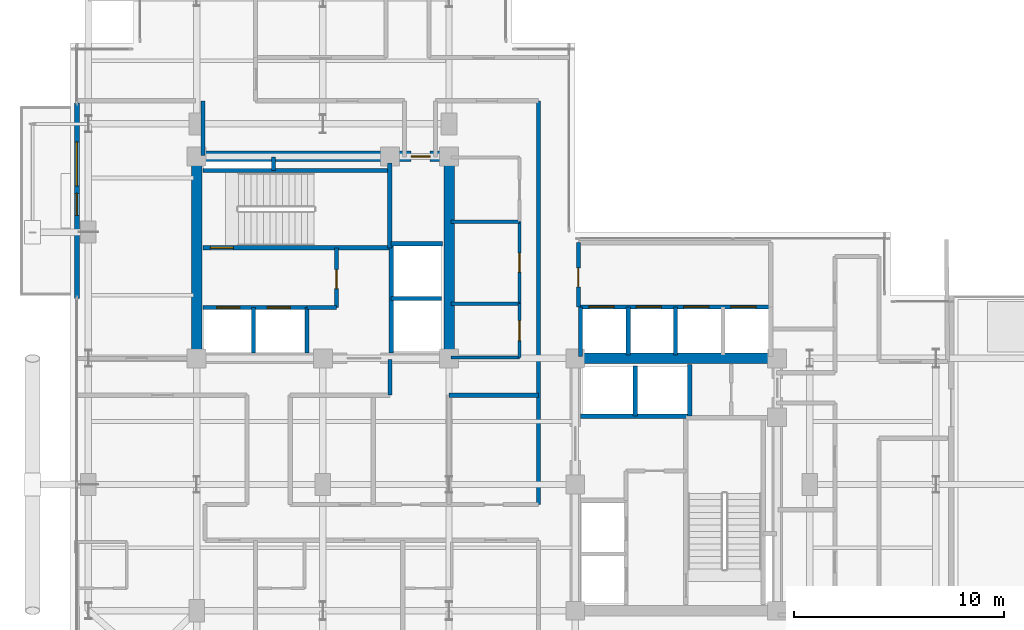
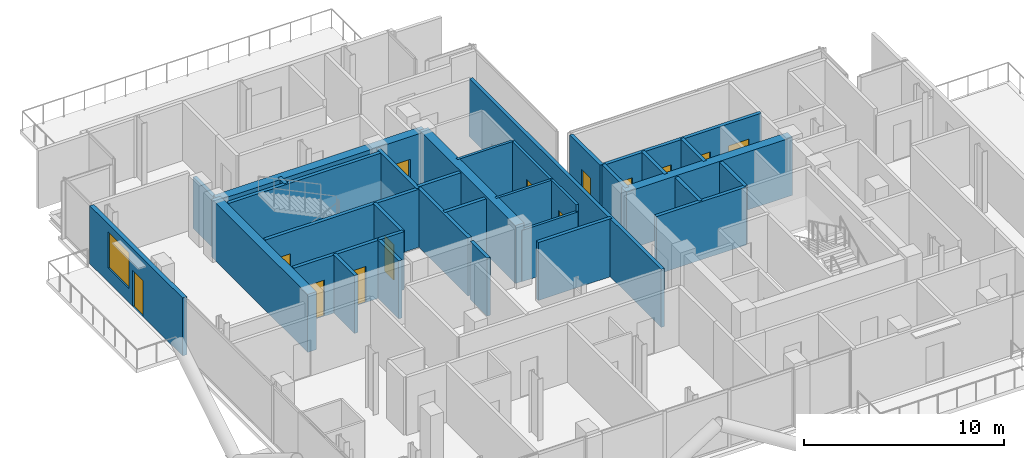
# One storey, part 22 of 28: 34 walls, 13 doors, 1 window, 14 openings.
"""IFC4 building model written with IfcOpenShell, lengths in metres."""

from ifc_helpers import new_model, si_unit, direction, frame, frame_2d, origin, place, context, subcontext, project, spatial, rectangle, extrude, material, layer, layer_set, type_object, element, fill, save


model = new_model("IFC4")

# Units and contexts
model_context = context("Model", 3, precision=1e-05, world=origin(), true_north=direction((0.0, 1.0)))
body_context = subcontext(model_context, "Body", "Model", "MODEL_VIEW")
ifc_project = project(units=[si_unit("LENGTHUNIT", "METRE"), si_unit("AREAUNIT", "SQUARE_METRE"), si_unit("VOLUMEUNIT", "CUBIC_METRE"), si_unit("PLANEANGLEUNIT", "RADIAN"), si_unit("MASSUNIT", "GRAM", prefix="KILO"), si_unit("THERMODYNAMICTEMPERATUREUNIT", "KELVIN"), si_unit("POWERUNIT", "WATT")], contexts=[model_context])

# Site, building, storey
site_placement = place(None, origin())
site = spatial("IfcSite", under=ifc_project, at=site_placement, CompositionType="ELEMENT")
building_placement = place(site_placement, origin())
building = spatial("IfcBuilding", under=site, at=building_placement, Name="Svarakhadi Broadcast Tower", CompositionType="ELEMENT")
storey_placement = place(building_placement, frame((0.0, 0.0, 169.199951171875)))
storey = spatial("IfcBuildingStorey", under=building, at=storey_placement, Name="L41", CompositionType="ELEMENT", Elevation=169.199951171875)

# Walls
ifc_material_1 = material(Name="Double-Stud Acoustic Studio Partition STC-62", Category="gypsum")
ifc_layer_1 = layer(ifc_material_1, 0.199951171875)
ifc_layer_set_1 = layer_set([ifc_layer_1], Name="Double-Stud Acoustic Studio Partition STC-62")
wall_type_1 = type_object("IfcWallType", Name="Wall_Acoust_200", PredefinedType="PARTITIONING", material=ifc_layer_set_1)
wall_1_placement = place(storey_placement, frame((15.199951171875, 17.949951171875, 0.0), z_axis=(0.0, 0.0, 1.0), x_axis=(0.0, -1.0, 0.0)))
element("IfcWall", 1, at=wall_1_placement, inside=storey, type_object=wall_type_1, Name="L41 Zone 2/3 Corridor Wall", PredefinedType="PARTITIONING", context=body_context, shape_type="SweptSolid", body=[
    extrude(rectangle(XDim=1.699951171875, YDim=0.199951171875, at=frame_2d((0.85009765625, 0.0))), origin(), (0.0, 0.0, 1.0), 3.5400390625),
])
wall_2_placement = place(storey_placement, frame((22.25, 11.050048828125, 0.0), z_axis=(0.0, 0.0, 1.0), x_axis=(0.0, 1.0, 0.0)))
element("IfcWall", 2, at=wall_2_placement, inside=storey, type_object=wall_type_1, Name="L41 Zone 2/3 Corridor Wall", PredefinedType="PARTITIONING", context=body_context, shape_type="SweptSolid", body=[
    extrude(rectangle(XDim=19.199951171875, YDim=0.199951171875, at=frame_2d((9.60009765625, 0.0))), origin(), (0.0, 0.0, 1.0), 3.5400390625),
])
wall_3_placement = place(storey_placement, frame((18.0, 16.25, 0.0), z_axis=(0.0, 0.0, 1.0), x_axis=(1.0, 0.0, 0.0)))
element("IfcWall", 3, at=wall_3_placement, inside=storey, type_object=wall_type_1, Name="L41 Accessible Floor Washroom WC Wall", PredefinedType="PARTITIONING", context=body_context, shape_type="SweptSolid", body=[
    extrude(rectangle(XDim=4.25, YDim=0.199951171875, at=frame_2d((2.125, 0.0))), origin(), (0.0, 0.0, 1.0), 3.5400390625),
])
wall_4_placement = place(storey_placement, frame((6.300048828125, 27.64990234375, 0.0), z_axis=(0.0, 0.0, 1.0), x_axis=(0.0, 1.0, 0.0)))
element("IfcWall", 4, at=wall_4_placement, inside=storey, type_object=wall_type_1, Name="L41 Guest Library Study Wall", PredefinedType="PARTITIONING", context=body_context, shape_type="SweptSolid", body=[
    extrude(rectangle(XDim=2.60009765625, YDim=0.199951171875, at=frame_2d((1.300048828125, 0.0))), origin(), (0.0, 0.0, 1.0), 3.132080078125),
])

# Wall, openings, door, window
ifc_material_2 = material(Name="Concrete C40/50 (IS 456 M50)", Category="concrete")
ifc_layer_2 = layer(ifc_material_2, 0.239990234375)
ifc_layer_set_2 = layer_set([ifc_layer_2], Name="Concrete C40/50 (IS 456 M50)")
wall_type_2 = type_object("IfcWallType", Name="Wall_Ext_240", PredefinedType="SOLIDWALL", material=ifc_layer_set_2)
wall_5_placement = place(storey_placement, frame((0.300048828125, 20.85498046875, 0.0), z_axis=(0.0, 0.0, 1.0), x_axis=(0.0, 1.0, 0.0)))
wall_5 = element("IfcWall", 5, at=wall_5_placement, inside=storey, type_object=wall_type_2, Name="L41 West Tree Balcony Spandrel Wall", PredefinedType="SOLIDWALL", context=body_context, shape_type="SweptSolid", body=[
    extrude(rectangle(XDim=9.2900390625, YDim=0.239990234375, at=frame_2d((4.64501953125, 0.0))), origin(), (0.0, 0.0, 1.0), 3.5400390625),
])
opening_1_placement = place(wall_5_placement, frame((3.945068359375, 0.0, 0.0)))
opening_1 = element("IfcOpeningElement", 6, at=opening_1_placement, cuts=wall_5, Name="Opening ED-06", PredefinedType="OPENING", context=body_context, shape_type="SweptSolid", body=[
    extrude(rectangle(XDim=1.050048828125, YDim=2.199951171875, at=frame_2d((0.52490234375, 1.10009765625))), frame((0.0, 0.1298828125, 0.0), z_axis=(0.0, -1.0, 0.0), x_axis=(1.0, 0.0, 0.0)), (0.0, 0.0, 1.0), 0.260009765625),
])
opening_2_placement = place(wall_5_placement, frame((5.344970703125, 0.0, 0.85009765625)))
opening_2 = element("IfcOpeningElement", 7, at=opening_2_placement, cuts=wall_5, Name="Opening WN-06", PredefinedType="OPENING", context=body_context, shape_type="SweptSolid", body=[
    extrude(rectangle(XDim=2.10009765625, YDim=2.199951171875, at=frame_2d((1.050048828125, 1.10009765625))), frame((0.0, 0.1298828125, 0.0), z_axis=(0.0, -1.0, 0.0), x_axis=(1.0, 0.0, 0.0)), (0.0, 0.0, 1.0), 0.260009765625),
])
ifc_material_3 = material(Name="Anodised Bronze Aluminium AA 6063-T6", Category="aluminium")
door_type_1 = type_object("IfcDoorType", Name="Door_Ext_ED06", OperationType="SINGLE_SWING_RIGHT", PredefinedType="DOOR", material=ifc_material_3)
door_1_placement = place(opening_1_placement, origin())
door_1 = element("IfcDoor", 8, at=door_1_placement, inside=storey, type_object=door_type_1, Name="L41 West Tree Balcony Door", OperationType="SINGLE_SWING_RIGHT", OverallHeight=2.199951171875, OverallWidth=1.050048828125, PredefinedType="DOOR", context=body_context, shape_type="SweptSolid", body=[
    extrude(rectangle(XDim=1.050048828125, YDim=2.199951171875, at=frame_2d((0.52490234375, 1.10009765625))), frame((0.0, 0.02490234375, 0.0), z_axis=(0.0, -1.0, 0.0), x_axis=(1.0, 0.0, 0.0)), (0.0, 0.0, 1.0), 0.050048828125),
])
fill(opening_1, door_1)
ifc_material_4 = material(Name="Double Low-E Laminated Acoustic Glass IGU 36 mm", Category="glass")
window_type = type_object("IfcWindowType", Name="Win_Hotel_WN06", PartitioningType="SINGLE_PANEL", PredefinedType="WINDOW", material=ifc_material_4)
window_placement = place(opening_2_placement, origin())
window = element("IfcWindow", 9, at=window_placement, inside=storey, type_object=window_type, Name="L41 West Tree Balcony Window", OverallHeight=2.199951171875, OverallWidth=2.10009765625, PartitioningType="SINGLE_PANEL", PredefinedType="WINDOW", context=body_context, shape_type="SweptSolid", body=[
    extrude(rectangle(XDim=2.10009765625, YDim=2.199951171875, at=frame_2d((1.050048828125, 1.10009765625))), frame((0.0, 0.030029296875, 0.0), z_axis=(0.0, -1.0, 0.0), x_axis=(1.0, 0.0, 0.0)), (0.0, 0.0, 1.0), 0.06005859375),
])
fill(opening_2, window)

# Walls
ifc_layer_3 = layer(ifc_material_2, 0.199951171875)
ifc_layer_set_3 = layer_set([ifc_layer_3], Name="Concrete C40/50 (IS 456 M50)")
wall_type_3 = type_object("IfcWallType", Name="Wall_Fire_200", PredefinedType="SOLIDWALL", material=ifc_layer_set_3)
wall_6_placement = place(storey_placement, frame((9.659912109375, 26.93994140625, 0.0), z_axis=(0.0, 0.0, 1.0), x_axis=(0.0, 1.0, 0.0)))
element("IfcWall", 10, at=wall_6_placement, inside=storey, type_object=wall_type_3, Name="L41 Wet Riser Shaft East Wall", PredefinedType="SOLIDWALL", context=body_context, shape_type="SweptSolid", body=[
    extrude(rectangle(XDim=0.64013671875, YDim=0.199951171875, at=frame_2d((0.320068359375, 0.0))), origin(), (0.0, 0.0, 1.0), 3.5400390625),
])
ifc_material_5 = material(Name="Autoclaved Aerated Concrete Blockwork 150 mm", Category="masonry")
ifc_layer_4 = layer(ifc_material_5, 0.14990234375)
ifc_layer_set_4 = layer_set([ifc_layer_4], Name="Autoclaved Aerated Concrete Blockwork 150 mm")
wall_type_4 = type_object("IfcWallType", Name="Wall_Part_150", PredefinedType="PARTITIONING", material=ifc_layer_set_4)
wall_7_placement = place(storey_placement, frame((18.10009765625, 18.050048828125, 0.0), z_axis=(0.0, 0.0, 1.0), x_axis=(1.0, 0.0, 0.0)))
element("IfcWall", 11, at=wall_7_placement, inside=storey, type_object=wall_type_4, Name="L41 Hotel Floor Butler Service Pantry Wall", PredefinedType="PARTITIONING", context=body_context, shape_type="SweptSolid", body=[
    extrude(rectangle(XDim=3.25, YDim=0.14990234375, at=frame_2d((1.625, 0.0))), origin(), (0.0, 0.0, 1.0), 3.132080078125),
])
wall_8_placement = place(storey_placement, frame((18.10009765625, 20.60009765625, 0.0), z_axis=(0.0, 0.0, 1.0), x_axis=(1.0, 0.0, 0.0)))
element("IfcWall", 12, at=wall_8_placement, inside=storey, type_object=wall_type_4, Name="L41 Hotel Floor Butler Service Pantry Wall", PredefinedType="PARTITIONING", context=body_context, shape_type="SweptSolid", body=[
    extrude(rectangle(XDim=3.25, YDim=0.14990234375, at=frame_2d((1.625, 0.0))), origin(), (0.0, 0.0, 1.0), 3.5400390625),
])

# Wall, opening, door
wall_9_placement = place(storey_placement, frame((21.35009765625, 18.050048828125, 0.0), z_axis=(0.0, 0.0, 1.0), x_axis=(0.0, 1.0, 0.0)))
wall_9 = element("IfcWall", 13, at=wall_9_placement, inside=storey, type_object=wall_type_4, Name="L41 Hotel Floor Butler Service Pantry Wall", PredefinedType="PARTITIONING", context=body_context, shape_type="SweptSolid", body=[
    extrude(rectangle(XDim=2.550048828125, YDim=0.14990234375, at=frame_2d((1.27490234375, 0.0))), origin(), (0.0, 0.0, 1.0), 3.5400390625),
])
opening_3_placement = place(wall_9_placement, frame((0.800048828125, 0.0, 0.0)))
opening_3 = element("IfcOpeningElement", 14, at=opening_3_placement, cuts=wall_9, Name="Opening D-07", PredefinedType="OPENING", context=body_context, shape_type="SweptSolid", body=[
    extrude(rectangle(XDim=0.949951171875, YDim=2.14990234375, at=frame_2d((0.47509765625, 1.074951171875))), frame((0.0, 0.0849609375, 0.0), z_axis=(0.0, -1.0, 0.0), x_axis=(1.0, 0.0, 0.0)), (0.0, 0.0, 1.0), 0.169921875),
])
ifc_material_6 = material(Name="Solid-Core Teak Veneer Acoustic Timber Leaf", Category="wood")
door_type_2 = type_object("IfcDoorType", Name="Door_Office_D07", OperationType="SINGLE_SWING_RIGHT", PredefinedType="DOOR", material=ifc_material_6)
door_2_placement = place(opening_3_placement, origin())
door_2 = element("IfcDoor", 15, at=door_2_placement, inside=storey, type_object=door_type_2, Name="L41 Hotel Floor Butler Service Pantry Door", OperationType="SINGLE_SWING_RIGHT", OverallHeight=2.14990234375, OverallWidth=0.949951171875, PredefinedType="DOOR", context=body_context, shape_type="SweptSolid", body=[
    extrude(rectangle(XDim=0.949951171875, YDim=2.14990234375, at=frame_2d((0.47509765625, 1.074951171875))), frame((0.0, 0.02490234375, 0.0), z_axis=(0.0, -1.0, 0.0), x_axis=(1.0, 0.0, 0.0)), (0.0, 0.0, 1.0), 0.050048828125),
])
fill(opening_3, door_2)

# Wall
wall_10_placement = place(storey_placement, frame((18.10009765625, 24.5, 0.0), z_axis=(0.0, 0.0, 1.0), x_axis=(1.0, 0.0, 0.0)))
element("IfcWall", 16, at=wall_10_placement, inside=storey, type_object=wall_type_4, Name="L41 Accessible Guest Washroom WC Wall", PredefinedType="PARTITIONING", context=body_context, shape_type="SweptSolid", body=[
    extrude(rectangle(XDim=3.25, YDim=0.14990234375, at=frame_2d((1.625, 0.0))), origin(), (0.0, 0.0, 1.0), 3.5400390625),
])

# Wall, opening, door
wall_11_placement = place(storey_placement, frame((21.35009765625, 20.60009765625, 0.0), z_axis=(0.0, 0.0, 1.0), x_axis=(0.0, 1.0, 0.0)))
wall_11 = element("IfcWall", 17, at=wall_11_placement, inside=storey, type_object=wall_type_4, Name="L41 Accessible Guest Washroom WC Wall", PredefinedType="PARTITIONING", context=body_context, shape_type="SweptSolid", body=[
    extrude(rectangle(XDim=3.89990234375, YDim=0.14990234375, at=frame_2d((1.949951171875, 0.0))), origin(), (0.0, 0.0, 1.0), 3.5400390625),
])
opening_4_placement = place(wall_11_placement, frame((1.5, 0.0, 0.0)))
opening_4 = element("IfcOpeningElement", 18, at=opening_4_placement, cuts=wall_11, Name="Opening D-12", PredefinedType="OPENING", context=body_context, shape_type="SweptSolid", body=[
    extrude(rectangle(XDim=0.89990234375, YDim=2.10009765625, at=frame_2d((0.449951171875, 1.050048828125))), frame((0.0, 0.0849609375, 0.0), z_axis=(0.0, -1.0, 0.0), x_axis=(1.0, 0.0, 0.0)), (0.0, 0.0, 1.0), 0.169921875),
])
door_type_3 = type_object("IfcDoorType", Name="Door_WC_D01", OperationType="SINGLE_SWING_LEFT", PredefinedType="DOOR", material=ifc_material_6)
door_3_placement = place(opening_4_placement, origin())
door_3 = element("IfcDoor", 19, at=door_3_placement, inside=storey, type_object=door_type_3, Name="L41 Accessible Guest Washroom WC Door", OperationType="SINGLE_SWING_LEFT", OverallHeight=2.10009765625, OverallWidth=0.89990234375, PredefinedType="DOOR", context=body_context, shape_type="SweptSolid", body=[
    extrude(rectangle(XDim=0.89990234375, YDim=2.10009765625, at=frame_2d((0.449951171875, 1.050048828125))), frame((0.0, 0.02490234375, 0.0), z_axis=(0.0, -1.0, 0.0), x_axis=(1.0, 0.0, 0.0)), (0.0, 0.0, 1.0), 0.050048828125),
])
fill(opening_4, door_3)

ifc_material_7 = material(Name="Concrete C50/60 (IS 456 M60)", Category="concrete")
ifc_layer_5 = layer(ifc_material_7, 0.199951171875)
ifc_layer_set_5 = layer_set([ifc_layer_5], Name="Concrete C50/60 (IS 456 M60)")
wall_type_5 = type_object("IfcWallType", Name="Wall_Shear_200", PredefinedType="SHEAR", material=ifc_layer_set_5)
wall_12_placement = place(storey_placement, frame((6.300048828125, 23.260009765625, 0.0), z_axis=(0.0, 0.0, 1.0), x_axis=(1.0, 0.0, 0.0)))
wall_12 = element("IfcWall", 20, at=wall_12_placement, inside=storey, type_object=wall_type_5, Name="L41 Stair ST-01 South RC Shaft Wall", PredefinedType="SHEAR", context=body_context, shape_type="SweptSolid", body=[
    extrude(rectangle(XDim=8.8798828125, YDim=0.199951171875, at=frame_2d((4.43994140625, 0.0))), origin(), (0.0, 0.0, 1.0), 3.5400390625),
])
opening_5_placement = place(wall_12_placement, frame((0.35009765625, 0.0, 0.0)))
opening_5 = element("IfcOpeningElement", 21, at=opening_5_placement, cuts=wall_12, Name="Opening D-01", PredefinedType="OPENING", context=body_context, shape_type="SweptSolid", body=[
    extrude(rectangle(XDim=1.10009765625, YDim=2.199951171875, at=frame_2d((0.550048828125, 1.10009765625))), frame((0.0, 0.10986328125, 0.0), z_axis=(0.0, -1.0, 0.0), x_axis=(1.0, 0.0, 0.0)), (0.0, 0.0, 1.0), 0.219970703125),
])
ifc_material_8 = material(Name="Galvanised Powder-Coated Fire-Rated Steel Leaf", Category="steel")
door_type_4 = type_object("IfcDoorType", Name="Door_Stair_D01", OperationType="SINGLE_SWING_LEFT", PredefinedType="DOOR", material=ifc_material_8)
door_4_placement = place(opening_5_placement, origin())
door_4 = element("IfcDoor", 22, at=door_4_placement, inside=storey, type_object=door_type_4, Name="L41 Protected Exit Stair ST-01 Fire Door", OperationType="SINGLE_SWING_LEFT", OverallHeight=2.199951171875, OverallWidth=1.10009765625, PredefinedType="DOOR", context=body_context, shape_type="SweptSolid", body=[
    extrude(rectangle(XDim=1.10009765625, YDim=2.199951171875, at=frame_2d((0.550048828125, 1.10009765625))), frame((0.0, 0.02490234375, 0.0), z_axis=(0.0, -1.0, 0.0), x_axis=(1.0, 0.0, 0.0)), (0.0, 0.0, 1.0), 0.050048828125),
])
fill(opening_5, door_4)

# Walls
wall_13_placement = place(storey_placement, frame((6.300048828125, 26.93994140625, 0.0), z_axis=(0.0, 0.0, 1.0), x_axis=(1.0, 0.0, 0.0)))
element("IfcWall", 23, at=wall_13_placement, inside=storey, type_object=wall_type_5, Name="L41 Stair ST-01 North RC Shaft Wall", PredefinedType="SHEAR", context=body_context, shape_type="SweptSolid", body=[
    extrude(rectangle(XDim=8.8798828125, YDim=0.199951171875, at=frame_2d((4.43994140625, 0.0))), origin(), (0.0, 0.0, 1.0), 3.5400390625),
])
wall_14_placement = place(storey_placement, frame((15.179931640625, 23.260009765625, 0.0), z_axis=(0.0, 0.0, 1.0), x_axis=(0.0, 1.0, 0.0)))
element("IfcWall", 24, at=wall_14_placement, inside=storey, type_object=wall_type_5, Name="L41 Stair ST-01 East RC Shaft Wall", PredefinedType="SHEAR", context=body_context, shape_type="SweptSolid", body=[
    extrude(rectangle(XDim=4.0400390625, YDim=0.199951171875, at=frame_2d((2.02001953125, 0.0))), origin(), (0.0, 0.0, 1.0), 3.5400390625),
])

# Wall, openings, doors
wall_15_placement = place(storey_placement, frame((6.300048828125, 20.419921875, 0.0), z_axis=(0.0, 0.0, 1.0), x_axis=(1.0, 0.0, 0.0)))
wall_15 = element("IfcWall", 25, at=wall_15_placement, inside=storey, type_object=wall_type_5, Name="L41 Firefighting Lift LF-01/02 Shaft Wall", PredefinedType="SHEAR", context=body_context, shape_type="SweptSolid", body=[
    extrude(rectangle(XDim=4.949951171875, YDim=0.199951171875, at=frame_2d((2.47509765625, 0.0))), origin(), (0.0, 0.0, 1.0), 3.5400390625),
])
opening_6_placement = place(wall_15_placement, frame((0.64990234375, 0.0, 0.0)))
opening_6 = element("IfcOpeningElement", 26, at=opening_6_placement, cuts=wall_15, Name="Opening LD-01", PredefinedType="OPENING", context=body_context, shape_type="SweptSolid", body=[
    extrude(rectangle(XDim=1.10009765625, YDim=2.199951171875, at=frame_2d((0.550048828125, 1.10009765625))), frame((0.0, 0.10986328125, 0.0), z_axis=(0.0, -1.0, 0.0), x_axis=(1.0, 0.0, 0.0)), (0.0, 0.0, 1.0), 0.219970703125),
])
opening_7_placement = place(wall_15_placement, frame((3.050048828125, 0.0, 0.0)))
opening_7 = element("IfcOpeningElement", 27, at=opening_7_placement, cuts=wall_15, Name="Opening LD-01", PredefinedType="OPENING", context=body_context, shape_type="SweptSolid", body=[
    extrude(rectangle(XDim=1.10009765625, YDim=2.199951171875, at=frame_2d((0.550048828125, 1.10009765625))), frame((0.0, 0.10986328125, 0.0), z_axis=(0.0, -1.0, 0.0), x_axis=(1.0, 0.0, 0.0)), (0.0, 0.0, 1.0), 0.219970703125),
])
door_type_5 = type_object("IfcDoorType", Name="Door_Lift_LD01", OperationType="SLIDING_TO_LEFT", PredefinedType="DOOR", material=ifc_material_8)
door_5_placement = place(opening_6_placement, origin())
door_5 = element("IfcDoor", 28, at=door_5_placement, inside=storey, type_object=door_type_5, Name="L41 Firefighting Lift LF-01 Landing Door", OperationType="SLIDING_TO_LEFT", OverallHeight=2.199951171875, OverallWidth=1.10009765625, PredefinedType="DOOR", context=body_context, shape_type="SweptSolid", body=[
    extrude(rectangle(XDim=1.10009765625, YDim=2.199951171875, at=frame_2d((0.550048828125, 1.10009765625))), frame((0.0, 0.02490234375, 0.0), z_axis=(0.0, -1.0, 0.0), x_axis=(1.0, 0.0, 0.0)), (0.0, 0.0, 1.0), 0.050048828125),
])
fill(opening_6, door_5)
door_6_placement = place(opening_7_placement, origin())
door_6 = element("IfcDoor", 29, at=door_6_placement, inside=storey, type_object=door_type_5, Name="L41 Firefighting Lift LF-02 Landing Door", OperationType="SLIDING_TO_LEFT", OverallHeight=2.199951171875, OverallWidth=1.10009765625, PredefinedType="DOOR", context=body_context, shape_type="SweptSolid", body=[
    extrude(rectangle(XDim=1.10009765625, YDim=2.199951171875, at=frame_2d((0.550048828125, 1.10009765625))), frame((0.0, 0.02490234375, 0.0), z_axis=(0.0, -1.0, 0.0), x_axis=(1.0, 0.0, 0.0)), (0.0, 0.0, 1.0), 0.050048828125),
])
fill(opening_7, door_6)

# Walls
for number, where, z_axis, x_axis, name in (
    (30, (8.699951171875, 18.25, 0.0), (0.0, 0.0, 1.0), (0.0, 1.0, 0.0), "L41 Firefighting Lift LF-01/02 Divider Wall"),
    (31, (11.25, 18.25, 0.0), (0.0, 0.0, 1.0), (0.0, 1.0, 0.0), "L41 Firefighting Lift LF-02 East Wall"),
):
    element("IfcWall", number, at=place(storey_placement, frame(where, z_axis=z_axis, x_axis=x_axis)), inside=storey, type_object=wall_type_5, Name=name, PredefinedType="SHEAR", context=body_context, shape_type="SweptSolid", body=[
        extrude(rectangle(XDim=2.169921875, YDim=0.199951171875, at=frame_2d((1.0849609375, 0.0))), origin(), (0.0, 0.0, 1.0), 3.5400390625),
    ])
wall_16_placement = place(storey_placement, frame((11.25, 20.419921875, 0.0), z_axis=(0.0, 0.0, 1.0), x_axis=(1.0, 0.0, 0.0)))
element("IfcWall", 32, at=wall_16_placement, inside=storey, type_object=wall_type_5, Name="L41 West Firefighting Lobby South Wall", PredefinedType="SHEAR", context=body_context, shape_type="SweptSolid", body=[
    extrude(rectangle(XDim=1.39990234375, YDim=0.199951171875, at=frame_2d((0.699951171875, 0.0))), origin(), (0.0, 0.0, 1.0), 3.5400390625),
])

# Wall, opening, door
wall_17_placement = place(storey_placement, frame((12.64990234375, 20.419921875, 0.0), z_axis=(0.0, 0.0, 1.0), x_axis=(0.0, 1.0, 0.0)))
wall_17 = element("IfcWall", 33, at=wall_17_placement, inside=storey, type_object=wall_type_5, Name="L41 West Firefighting Lobby East Wall", PredefinedType="SHEAR", context=body_context, shape_type="SweptSolid", body=[
    extrude(rectangle(XDim=2.840087890625, YDim=0.199951171875, at=frame_2d((1.419921875, 0.0))), origin(), (0.0, 0.0, 1.0), 3.5400390625),
])
opening_8_placement = place(wall_17_placement, frame((0.89990234375, 0.0, 0.0)))
opening_8 = element("IfcOpeningElement", 34, at=opening_8_placement, cuts=wall_17, Name="Opening D-03", PredefinedType="OPENING", context=body_context, shape_type="SweptSolid", body=[
    extrude(rectangle(XDim=0.89990234375, YDim=2.14990234375, at=frame_2d((0.449951171875, 1.074951171875))), frame((0.0, 0.10986328125, 0.0), z_axis=(0.0, -1.0, 0.0), x_axis=(1.0, 0.0, 0.0)), (0.0, 0.0, 1.0), 0.219970703125),
])
door_type_6 = type_object("IfcDoorType", Name="Door_Fire_D03", OperationType="SINGLE_SWING_LEFT", PredefinedType="DOOR", material=ifc_material_8)
door_7_placement = place(opening_8_placement, origin())
door_7 = element("IfcDoor", 35, at=door_7_placement, inside=storey, type_object=door_type_6, Name="L41 West Firefighting Lobby Fire Door", OperationType="SINGLE_SWING_LEFT", OverallHeight=2.14990234375, OverallWidth=0.89990234375, PredefinedType="DOOR", context=body_context, shape_type="SweptSolid", body=[
    extrude(rectangle(XDim=0.89990234375, YDim=2.14990234375, at=frame_2d((0.449951171875, 1.074951171875))), frame((0.0, 0.02490234375, 0.0), z_axis=(0.0, -1.0, 0.0), x_axis=(1.0, 0.0, 0.0)), (0.0, 0.0, 1.0), 0.050048828125),
])
fill(opening_8, door_7)

# Walls
wall_18_placement = place(storey_placement, frame((15.25, 18.25, 0.0), z_axis=(0.0, 0.0, 1.0), x_axis=(0.0, 1.0, 0.0)))
element("IfcWall", 36, at=wall_18_placement, inside=storey, type_object=wall_type_5, Name="L41 High-Rise Lift LF-13/14 West Shaft Wall", PredefinedType="SHEAR", context=body_context, shape_type="SweptSolid", body=[
    extrude(rectangle(XDim=5.199951171875, YDim=0.199951171875, at=frame_2d((2.60009765625, 0.0))), origin(), (0.0, 0.0, 1.0), 3.5400390625),
])
wall_19_placement = place(storey_placement, frame((15.25, 20.85009765625, 0.0), z_axis=(0.0, 0.0, 1.0), x_axis=(1.0, 0.0, 0.0)))
element("IfcWall", 37, at=wall_19_placement, inside=storey, type_object=wall_type_5, Name="L41 High-Rise Lift LF-13/14 Divider", PredefinedType="SHEAR", context=body_context, shape_type="SweptSolid", body=[
    extrude(rectangle(XDim=2.39990234375, YDim=0.199951171875, at=frame_2d((1.199951171875, 0.0))), origin(), (0.0, 0.0, 1.0), 3.5400390625),
])
wall_20_placement = place(storey_placement, frame((15.25, 23.449951171875, 0.0), z_axis=(0.0, 0.0, 1.0), x_axis=(1.0, 0.0, 0.0)))
element("IfcWall", 38, at=wall_20_placement, inside=storey, type_object=wall_type_5, Name="L41 High-Rise Lift LF-13/14 North Wall", PredefinedType="SHEAR", context=body_context, shape_type="SweptSolid", body=[
    extrude(rectangle(XDim=2.449951171875, YDim=0.199951171875, at=frame_2d((1.22509765625, 0.0))), origin(), (0.0, 0.0, 1.0), 3.5400390625),
])
wall_21_placement = place(storey_placement, frame((24.25, 15.25, 0.0), z_axis=(0.0, 0.0, 1.0), x_axis=(1.0, 0.0, 0.0)))
element("IfcWall", 39, at=wall_21_placement, inside=storey, type_object=wall_type_5, Name="L41 High-Rise Lift LF-15/16 South Shaft Wall", PredefinedType="SHEAR", context=body_context, shape_type="SweptSolid", body=[
    extrude(rectangle(XDim=5.199951171875, YDim=0.199951171875, at=frame_2d((2.60009765625, 0.0))), origin(), (0.0, 0.0, 1.0), 3.5400390625),
])
wall_22_placement = place(storey_placement, frame((26.85009765625, 15.25, 0.0), z_axis=(0.0, 0.0, 1.0), x_axis=(0.0, 1.0, 0.0)))
element("IfcWall", 40, at=wall_22_placement, inside=storey, type_object=wall_type_5, Name="L41 High-Rise Lift LF-15/16 Divider", PredefinedType="SHEAR", context=body_context, shape_type="SweptSolid", body=[
    extrude(rectangle(XDim=2.39990234375, YDim=0.199951171875, at=frame_2d((1.199951171875, 0.0))), origin(), (0.0, 0.0, 1.0), 3.5400390625),
])
wall_23_placement = place(storey_placement, frame((29.449951171875, 15.25, 0.0), z_axis=(0.0, 0.0, 1.0), x_axis=(0.0, 1.0, 0.0)))
element("IfcWall", 41, at=wall_23_placement, inside=storey, type_object=wall_type_5, Name="L41 High-Rise Lift LF-15/16 East Wall", PredefinedType="SHEAR", context=body_context, shape_type="SweptSolid", body=[
    extrude(rectangle(XDim=2.449951171875, YDim=0.199951171875, at=frame_2d((1.22509765625, 0.0))), origin(), (0.0, 0.0, 1.0), 3.5400390625),
])
wall_24_placement = place(storey_placement, frame((24.25, 18.10009765625, 0.0), z_axis=(0.0, 0.0, 1.0), x_axis=(0.0, 1.0, 0.0)))
element("IfcWall", 42, at=wall_24_placement, inside=storey, type_object=wall_type_5, Name="L41 Bank B West Shaft Wall", PredefinedType="SHEAR", context=body_context, shape_type="SweptSolid", body=[
    extrude(rectangle(XDim=2.349853515625, YDim=0.199951171875, at=frame_2d((1.1748046875, 0.0))), origin(), (0.0, 0.0, 1.0), 3.5400390625),
])

# Wall, openings, doors
wall_25_placement = place(storey_placement, frame((24.25, 20.449951171875, 0.0), z_axis=(0.0, 0.0, 1.0), x_axis=(1.0, 0.0, 0.0)))
wall_25 = element("IfcWall", 43, at=wall_25_placement, inside=storey, type_object=wall_type_5, Name="L41 Bank B North Landing Wall", PredefinedType="SHEAR", context=body_context, shape_type="SweptSolid", body=[
    extrude(rectangle(XDim=9.050048828125, YDim=0.199951171875, at=frame_2d((4.52490234375, 0.0))), origin(), (0.0, 0.0, 1.0), 3.5400390625),
])
opening_9_placement = place(wall_25_placement, frame((0.39990234375, 0.0, 0.0)))
opening_9 = element("IfcOpeningElement", 44, at=opening_9_placement, cuts=wall_25, Name="Opening LD-02", PredefinedType="OPENING", context=body_context, shape_type="SweptSolid", body=[
    extrude(rectangle(XDim=1.199951171875, YDim=2.199951171875, at=frame_2d((0.60009765625, 1.10009765625))), frame((0.0, 0.10986328125, 0.0), z_axis=(0.0, -1.0, 0.0), x_axis=(1.0, 0.0, 0.0)), (0.0, 0.0, 1.0), 0.219970703125),
])
opening_10_placement = place(wall_25_placement, frame((2.64990234375, 0.0, 0.0)))
opening_10 = element("IfcOpeningElement", 45, at=opening_10_placement, cuts=wall_25, Name="Opening LD-02", PredefinedType="OPENING", context=body_context, shape_type="SweptSolid", body=[
    extrude(rectangle(XDim=1.199951171875, YDim=2.199951171875, at=frame_2d((0.60009765625, 1.10009765625))), frame((0.0, 0.10986328125, 0.0), z_axis=(0.0, -1.0, 0.0), x_axis=(1.0, 0.0, 0.0)), (0.0, 0.0, 1.0), 0.219970703125),
])
opening_11_placement = place(wall_25_placement, frame((4.89990234375, 0.0, 0.0)))
opening_11 = element("IfcOpeningElement", 46, at=opening_11_placement, cuts=wall_25, Name="Opening LD-02", PredefinedType="OPENING", context=body_context, shape_type="SweptSolid", body=[
    extrude(rectangle(XDim=1.199951171875, YDim=2.199951171875, at=frame_2d((0.60009765625, 1.10009765625))), frame((0.0, 0.10986328125, 0.0), z_axis=(0.0, -1.0, 0.0), x_axis=(1.0, 0.0, 0.0)), (0.0, 0.0, 1.0), 0.219970703125),
])
opening_12_placement = place(wall_25_placement, frame((7.14990234375, 0.0, 0.0)))
opening_12 = element("IfcOpeningElement", 47, at=opening_12_placement, cuts=wall_25, Name="Opening LD-02", PredefinedType="OPENING", context=body_context, shape_type="SweptSolid", body=[
    extrude(rectangle(XDim=1.199951171875, YDim=2.199951171875, at=frame_2d((0.60009765625, 1.10009765625))), frame((0.0, 0.10986328125, 0.0), z_axis=(0.0, -1.0, 0.0), x_axis=(1.0, 0.0, 0.0)), (0.0, 0.0, 1.0), 0.219970703125),
])
door_type_7 = type_object("IfcDoorType", Name="Door_Lift_LD02", OperationType="SLIDING_TO_RIGHT", PredefinedType="DOOR", material=ifc_material_8)
door_8_placement = place(opening_9_placement, origin())
door_8 = element("IfcDoor", 48, at=door_8_placement, inside=storey, type_object=door_type_7, Name="L41 Mid-Rise Lift LF-09 Landing Door", OperationType="SLIDING_TO_RIGHT", OverallHeight=2.199951171875, OverallWidth=1.199951171875, PredefinedType="DOOR", context=body_context, shape_type="SweptSolid", body=[
    extrude(rectangle(XDim=1.199951171875, YDim=2.199951171875, at=frame_2d((0.60009765625, 1.10009765625))), frame((0.0, 0.02490234375, 0.0), z_axis=(0.0, -1.0, 0.0), x_axis=(1.0, 0.0, 0.0)), (0.0, 0.0, 1.0), 0.050048828125),
])
fill(opening_9, door_8)
door_9_placement = place(opening_10_placement, origin())
door_9 = element("IfcDoor", 49, at=door_9_placement, inside=storey, type_object=door_type_7, Name="L41 Mid-Rise Lift LF-10 Landing Door", OperationType="SLIDING_TO_RIGHT", OverallHeight=2.199951171875, OverallWidth=1.199951171875, PredefinedType="DOOR", context=body_context, shape_type="SweptSolid", body=[
    extrude(rectangle(XDim=1.199951171875, YDim=2.199951171875, at=frame_2d((0.60009765625, 1.10009765625))), frame((0.0, 0.02490234375, 0.0), z_axis=(0.0, -1.0, 0.0), x_axis=(1.0, 0.0, 0.0)), (0.0, 0.0, 1.0), 0.050048828125),
])
fill(opening_10, door_9)
door_10_placement = place(opening_11_placement, origin())
door_10 = element("IfcDoor", 50, at=door_10_placement, inside=storey, type_object=door_type_7, Name="L41 Mid-Rise Lift LF-11 Landing Door", OperationType="SLIDING_TO_RIGHT", OverallHeight=2.199951171875, OverallWidth=1.199951171875, PredefinedType="DOOR", context=body_context, shape_type="SweptSolid", body=[
    extrude(rectangle(XDim=1.199951171875, YDim=2.199951171875, at=frame_2d((0.60009765625, 1.10009765625))), frame((0.0, 0.02490234375, 0.0), z_axis=(0.0, -1.0, 0.0), x_axis=(1.0, 0.0, 0.0)), (0.0, 0.0, 1.0), 0.050048828125),
])
fill(opening_11, door_10)
door_11_placement = place(opening_12_placement, origin())
door_11 = element("IfcDoor", 51, at=door_11_placement, inside=storey, type_object=door_type_7, Name="L41 Mid-Rise Lift LF-12 Landing Door", OperationType="SLIDING_TO_RIGHT", OverallHeight=2.199951171875, OverallWidth=1.199951171875, PredefinedType="DOOR", context=body_context, shape_type="SweptSolid", body=[
    extrude(rectangle(XDim=1.199951171875, YDim=2.199951171875, at=frame_2d((0.60009765625, 1.10009765625))), frame((0.0, 0.02490234375, 0.0), z_axis=(0.0, -1.0, 0.0), x_axis=(1.0, 0.0, 0.0)), (0.0, 0.0, 1.0), 0.050048828125),
])
fill(opening_12, door_11)

# Walls
for number, where, z_axis, x_axis, name in (
    (52, (26.52001953125, 18.14990234375, 0.0), (0.0, 0.0, 1.0), (0.0, 1.0, 0.0), "L41 Bank B Divider"),
    (53, (28.77001953125, 18.14990234375, 0.0), (0.0, 0.0, 1.0), (0.0, 1.0, 0.0), "L41 Bank B Divider"),
):
    element("IfcWall", number, at=place(storey_placement, frame(where, z_axis=z_axis, x_axis=x_axis)), inside=storey, type_object=wall_type_5, Name=name, PredefinedType="SHEAR", context=body_context, shape_type="SweptSolid", body=[
        extrude(rectangle(XDim=2.300048828125, YDim=0.199951171875, at=frame_2d((1.14990234375, 0.0))), origin(), (0.0, 0.0, 1.0), 3.5400390625),
    ])

# Wall, opening, door
wall_26_placement = place(storey_placement, frame((24.14990234375, 20.449951171875, 0.0), z_axis=(0.0, 0.0, 1.0), x_axis=(0.0, 1.0, 0.0)))
wall_26 = element("IfcWall", 54, at=wall_26_placement, inside=storey, type_object=wall_type_5, Name="L41 Bank B Lift Hall West Wall", PredefinedType="SHEAR", context=body_context, shape_type="SweptSolid", body=[
    extrude(rectangle(XDim=3.050048828125, YDim=0.199951171875, at=frame_2d((1.52490234375, 0.0))), origin(), (0.0, 0.0, 1.0), 3.5400390625),
])
opening_13_placement = place(wall_26_placement, frame((0.949951171875, 0.0, 0.0)))
opening_13 = element("IfcOpeningElement", 55, at=opening_13_placement, cuts=wall_26, Name="Opening D-04", PredefinedType="OPENING", context=body_context, shape_type="SweptSolid", body=[
    extrude(rectangle(XDim=0.89990234375, YDim=2.14990234375, at=frame_2d((0.449951171875, 1.074951171875))), frame((0.0, 0.10986328125, 0.0), z_axis=(0.0, -1.0, 0.0), x_axis=(1.0, 0.0, 0.0)), (0.0, 0.0, 1.0), 0.219970703125),
])
door_type_8 = type_object("IfcDoorType", Name="Door_Fire_D04", OperationType="SINGLE_SWING_RIGHT", PredefinedType="DOOR", material=ifc_material_8)
door_12_placement = place(opening_13_placement, origin())
door_12 = element("IfcDoor", 56, at=door_12_placement, inside=storey, type_object=door_type_8, Name="L41 Mid-Rise Lift Hall West Corridor Door", OperationType="SINGLE_SWING_RIGHT", OverallHeight=2.14990234375, OverallWidth=0.89990234375, PredefinedType="DOOR", context=body_context, shape_type="SweptSolid", body=[
    extrude(rectangle(XDim=0.89990234375, YDim=2.14990234375, at=frame_2d((0.449951171875, 1.074951171875))), frame((0.0, 0.02490234375, 0.0), z_axis=(0.0, -1.0, 0.0), x_axis=(1.0, 0.0, 0.0)), (0.0, 0.0, 1.0), 0.050048828125),
])
fill(opening_13, door_12)

ifc_layer_6 = layer(ifc_material_7, 0.5)
ifc_layer_set_6 = layer_set([ifc_layer_6], Name="Concrete C50/60 (IS 456 M60)")
wall_type_6 = type_object("IfcWallType", Name="Wall_Shear_500", PredefinedType="SHEAR", material=ifc_layer_set_6)
wall_27_placement = place(storey_placement, frame((6.0, 27.60009765625, 0.0), z_axis=(0.0, 0.0, 1.0), x_axis=(1.0, 0.0, 0.0)))
wall_27 = element("IfcWall", 57, at=wall_27_placement, inside=storey, type_object=wall_type_6, Name="L41 West Core North Shear Wall", PredefinedType="SHEAR", context=body_context, shape_type="SweptSolid", body=[
    extrude(rectangle(XDim=12.0, YDim=0.5, at=frame_2d((6.0, 0.0))), origin(), (0.0, 0.0, 1.0), 3.5400390625),
])
opening_14_placement = place(wall_27_placement, frame((10.199951171875, 0.0, 0.0)))
opening_14 = element("IfcOpeningElement", 58, at=opening_14_placement, cuts=wall_27, Name="Opening D-04", PredefinedType="OPENING", context=body_context, shape_type="SweptSolid", body=[
    extrude(rectangle(XDim=0.89990234375, YDim=2.14990234375, at=frame_2d((0.449951171875, 1.074951171875))), frame((0.0, 0.260009765625, 0.0), z_axis=(0.0, -1.0, 0.0), x_axis=(1.0, 0.0, 0.0)), (0.0, 0.0, 1.0), 0.52001953125),
])
door_13_placement = place(opening_14_placement, origin())
door_13 = element("IfcDoor", 59, at=door_13_placement, inside=storey, type_object=door_type_8, Name="L41 Core Meter Cupboard Door", OperationType="SINGLE_SWING_RIGHT", OverallHeight=2.14990234375, OverallWidth=0.89990234375, PredefinedType="DOOR", context=body_context, shape_type="SweptSolid", body=[
    extrude(rectangle(XDim=0.89990234375, YDim=2.14990234375, at=frame_2d((0.449951171875, 1.074951171875))), frame((0.0, 0.02490234375, 0.0), z_axis=(0.0, -1.0, 0.0), x_axis=(1.0, 0.0, 0.0)), (0.0, 0.0, 1.0), 0.050048828125),
])
fill(opening_14, door_13)

# Walls
for number, where, z_axis, x_axis, name in (
    (60, (6.0, 18.0, 0.0), (0.0, 0.0, 1.0), (0.0, 1.0, 0.0), "L41 West Core West Shear Wall"),
    (61, (18.0, 18.0, 0.0), (0.0, 0.0, 1.0), (0.0, 1.0, 0.0), "L41 West Core East Shear Wall"),
    (62, (24.0, 18.0, 0.0), (0.0, 0.0, 1.0), (1.0, 0.0, 0.0), "L41 East Core North Shear Wall"),
):
    element("IfcWall", number, at=place(storey_placement, frame(where, z_axis=z_axis, x_axis=x_axis)), inside=storey, type_object=wall_type_6, Name=name, PredefinedType="SHEAR", context=body_context, shape_type="SweptSolid", body=[
        extrude(rectangle(XDim=9.60009765625, YDim=0.5, at=frame_2d((4.800048828125, 0.0))), origin(), (0.0, 0.0, 1.0), 3.5400390625),
    ])

save(model, "model.ifc")
